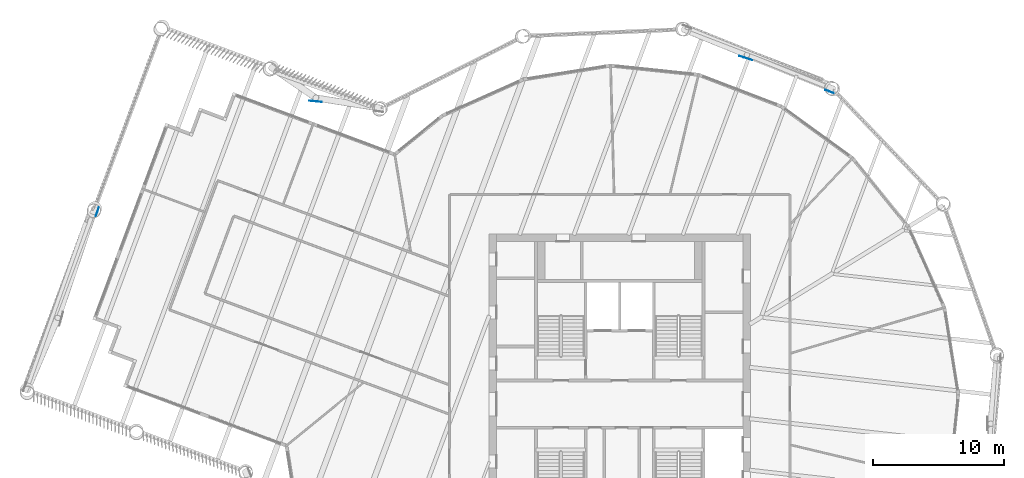
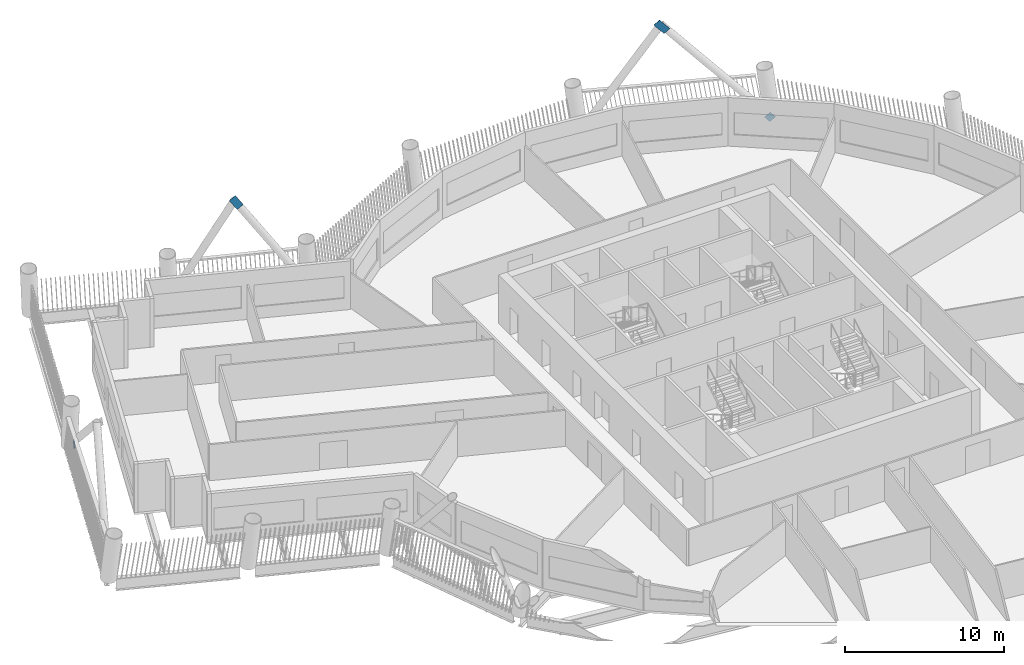
# One storey, part 11 of 22: 4 discrete accessories.
"""IFC4 building model written with IfcOpenShell, lengths in metres."""

from ifc_helpers import new_model, si_unit, direction, frame, origin, origin_2d, place, context, subcontext, project, spatial, rectangle, extrude, material, material_profile, profile_set, type_object, element, save


model = new_model("IFC4")

# Units and contexts
model_context = context("Model", 3, precision=1e-05, world=origin(), true_north=direction((0.0, 1.0)))
body_context = subcontext(model_context, "Body", "Model", "MODEL_VIEW")
ifc_project = project(units=[si_unit("LENGTHUNIT", "METRE"), si_unit("AREAUNIT", "SQUARE_METRE"), si_unit("VOLUMEUNIT", "CUBIC_METRE"), si_unit("PLANEANGLEUNIT", "RADIAN"), si_unit("MASSUNIT", "GRAM", prefix="KILO")], contexts=[model_context])

# Site, building, storey
site_placement = place(None, origin())
site = spatial("IfcSite", under=ifc_project, at=site_placement, CompositionType="ELEMENT")
building_placement = place(site_placement, origin())
building = spatial("IfcBuilding", under=site, at=building_placement, Name="Tarsis Ring Headquarters", CompositionType="ELEMENT")
storey_placement = place(building_placement, frame((0.0, 0.0, 200.39990234375)))
storey = spatial("IfcBuildingStorey", under=building, at=storey_placement, Name="L46", CompositionType="ELEMENT", Elevation=200.39990234375)

# Discrete accessories
ifc_material = material(Name="Structural steel S355", Category="steel")
ifc_material_profile = material_profile(ifc_material, rectangle(XDim=0.02490234375, YDim=0.5, at=origin_2d()), Name="PL 25x500")
ifc_profile_set = profile_set([ifc_material_profile], Name="Structural steel S355")
discrete_accessory_type = type_object("IfcDiscreteAccessoryType", Name="Gusset plate Exo brace 25", PredefinedType="BRACKET", material=ifc_profile_set)
discrete_accessory_1_placement = place(storey_placement, frame((16.185791015625, 23.80712890625, 0.0), z_axis=(-0.62392006194, 0.249470384704, 0.740599948328), x_axis=(-0.371265406287, -0.92852678911, 0.0)))
element("IfcDiscreteAccessory", 1, at=discrete_accessory_1_placement, inside=storey, type_object=discrete_accessory_type, Name="Gusset plate GP5", PredefinedType="BRACKET", context=body_context, shape_type="SweptSolid", body=[
    extrude(rectangle(XDim=0.02490234375, YDim=0.5, at=origin_2d()), origin(), (0.0, 0.0, 1.0), 0.5),
])
discrete_accessory_2_placement = place(storey_placement, frame((9.95068359375, 26.323974609375, 7.4296875), z_axis=(-0.638318074118, 0.209924873324, 0.740595425191), x_axis=(-0.312410890985, -0.94994706968, 0.0)))
element("IfcDiscreteAccessory", 2, at=discrete_accessory_2_placement, inside=storey, type_object=discrete_accessory_type, Name="Gusset plate GP5", PredefinedType="BRACKET", context=body_context, shape_type="SweptSolid", body=[
    extrude(rectangle(XDim=0.02490234375, YDim=0.5, at=origin_2d()), origin(), (0.0, 0.0, 1.0), 1.000244140625),
])
discrete_accessory_3_placement = place(storey_placement, frame((-22.97509765625, 23.095703125, 7.380615234375), z_axis=(-0.541783812367, 0.051761229483, 0.838922568405), x_axis=(-0.095105473939, -0.995467201281, 0.0)))
element("IfcDiscreteAccessory", 3, at=discrete_accessory_3_placement, inside=storey, type_object=discrete_accessory_type, Name="Gusset plate GP5", PredefinedType="BRACKET", context=body_context, shape_type="SweptSolid", body=[
    extrude(rectangle(XDim=0.02490234375, YDim=0.5, at=origin_2d()), origin(), (0.0, 0.0, 1.0), 1.0),
])
discrete_accessory_4_placement = place(storey_placement, frame((-39.852783203125, 14.861572265625, 0.0), z_axis=(-0.240216850358, -0.709909147197, 0.662061075378), x_axis=(0.947240315763, -0.320524233394, 0.0)))
element("IfcDiscreteAccessory", 4, at=discrete_accessory_4_placement, inside=storey, type_object=discrete_accessory_type, Name="Gusset plate GP5", PredefinedType="BRACKET", context=body_context, shape_type="SweptSolid", body=[
    extrude(rectangle(XDim=0.02490234375, YDim=0.5, at=origin_2d()), origin(), (0.0, 0.0, 1.0), 0.5),
])

save(model, "model.ifc")
